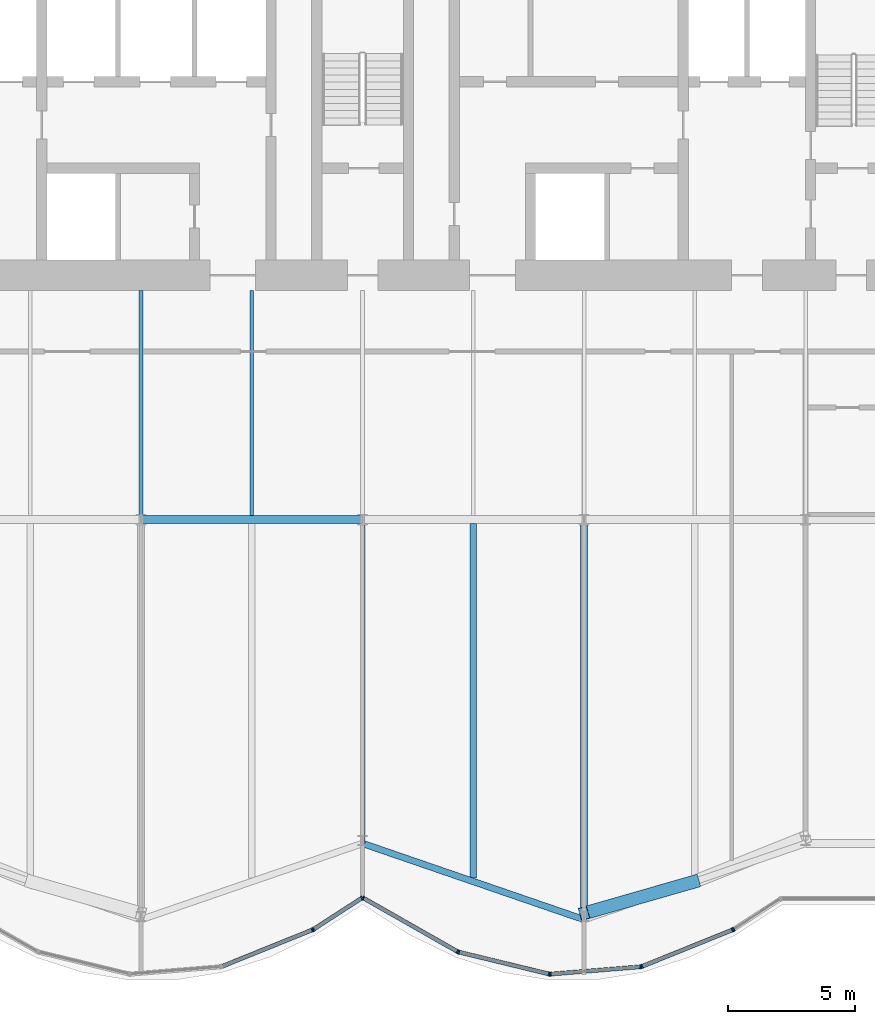
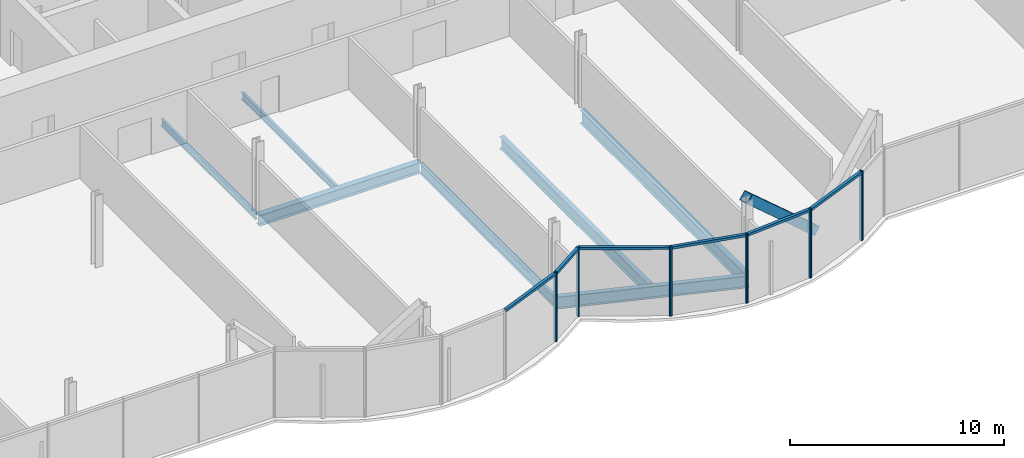
# One storey, part 7 of 21: 19 members, 7 beams, 2 elements without a shape of their own.
"""IFC4 building model written with IfcOpenShell, lengths in metres."""

from ifc_helpers import new_model, si_unit, direction, frame, origin, origin_2d, place, context, subcontext, project, spatial, rectangle, hollow_rectangle, i_section, extrude, material, material_profile, profile_set, type_object, element, aggregate, save


model = new_model("IFC4")

# Units and contexts
model_context = context("Model", 3, precision=1e-05, world=origin(), true_north=direction((0.0, 1.0)))
body_context = subcontext(model_context, "Body", "Model", "MODEL_VIEW")
ifc_project = project(units=[si_unit("LENGTHUNIT", "METRE"), si_unit("AREAUNIT", "SQUARE_METRE"), si_unit("VOLUMEUNIT", "CUBIC_METRE"), si_unit("PLANEANGLEUNIT", "RADIAN"), si_unit("MASSUNIT", "GRAM", prefix="KILO")], contexts=[model_context])

# Site, building, storey
site_placement = place(None, origin())
site = spatial("IfcSite", under=ifc_project, at=site_placement, CompositionType="ELEMENT")
building_placement = place(site_placement, origin())
building = spatial("IfcBuilding", under=site, at=building_placement, Name="Bicima Exchange Tower", CompositionType="ELEMENT")
storey_placement = place(building_placement, frame((0.0, 0.0, 122.699951171875)))
storey = spatial("IfcBuildingStorey", under=building, at=storey_placement, Name="L26", CompositionType="ELEMENT", Elevation=122.699951171875)

# Beams
ifc_material_1 = material(Name="Steel ASTM A992 Gr 50", Category="steel")
ifc_material_profile_1 = material_profile(ifc_material_1, i_section(OverallWidth=0.140380859375, OverallDepth=0.40380859375, WebThickness=0.007080078125, FlangeThickness=0.01123046875, at=origin_2d()))
ifc_profile_set_1 = profile_set([ifc_material_profile_1], Name="Steel ASTM A992 Gr 50")
beam_type_1 = type_object("IfcBeamType", Name="Floor beam W16x31", PredefinedType="JOIST", material=ifc_profile_set_1)
for number, where, z_axis, x_axis, name in (
    (1, (-8.699951171875, -13.0, -0.351806640625), (0.0, -1.0, 0.0), (1.0, 0.0, 0.0), "Floor beam"),
    (2, (-4.35009765625, -13.0, -0.351806640625), (0.0, -1.0, 0.0), (1.0, 0.0, 0.0), "Floor beam"),
):
    element("IfcBeam", number, at=place(storey_placement, frame(where, z_axis=z_axis, x_axis=x_axis)), inside=storey, type_object=beam_type_1, Name=name, PredefinedType="JOIST", context=body_context, shape_type="SweptSolid", body=[
        extrude(i_section(OverallWidth=0.140380859375, OverallDepth=0.40380859375, WebThickness=0.007080078125, FlangeThickness=0.01123046875, at=origin_2d()), origin(), (0.0, 0.0, 1.0), 8.83740234375),
    ])
ifc_material_profile_2 = material_profile(ifc_material_1, i_section(OverallWidth=0.177978515625, OverallDepth=0.599365234375, WebThickness=0.010009765625, FlangeThickness=0.012939453125, at=origin_2d()))
ifc_profile_set_2 = profile_set([ifc_material_profile_2], Name="Steel ASTM A992 Gr 50")
beam_type_2 = type_object("IfcBeamType", Name="Floor beam W24x55", PredefinedType="JOIST", material=ifc_profile_set_2)
beam_1_placement = place(storey_placement, frame((0.0, -22.16259765625, -0.44970703125), z_axis=(0.0, -1.0, 0.0), x_axis=(1.0, 0.0, 0.0)))
element("IfcBeam", 3, at=beam_1_placement, inside=storey, type_object=beam_type_2, Name="Floor beam", PredefinedType="JOIST", context=body_context, shape_type="SweptSolid", body=[
    extrude(i_section(OverallWidth=0.177978515625, OverallDepth=0.599365234375, WebThickness=0.010009765625, FlangeThickness=0.012939453125, at=origin_2d()), origin(), (0.0, 0.0, 1.0), 12.557373046875),
])
ifc_material_profile_3 = material_profile(ifc_material_1, i_section(OverallWidth=0.25390625, OverallDepth=0.67822265625, WebThickness=0.01171875, FlangeThickness=0.016357421875, at=origin_2d()))
ifc_profile_set_3 = profile_set([ifc_material_profile_3], Name="Steel ASTM A992 Gr 50")
beam_type_3 = type_object("IfcBeamType", Name="Floor beam W27x84", PredefinedType="JOIST", material=ifc_profile_set_3)
beam_2_placement = place(storey_placement, frame((4.35009765625, -22.16259765625, -0.489013671875), z_axis=(0.0, -1.0, 0.0), x_axis=(1.0, 0.0, 0.0)))
element("IfcBeam", 4, at=beam_2_placement, inside=storey, type_object=beam_type_3, Name="Floor beam", PredefinedType="JOIST", context=body_context, shape_type="SweptSolid", body=[
    extrude(i_section(OverallWidth=0.25390625, OverallDepth=0.67822265625, WebThickness=0.01171875, FlangeThickness=0.016357421875, at=origin_2d()), origin(), (0.0, 0.0, 1.0), 13.917236328125),
])
ifc_material_profile_4 = material_profile(ifc_material_1, i_section(OverallWidth=0.2666015625, OverallDepth=0.75439453125, WebThickness=0.01318359375, FlangeThickness=0.01708984375, at=origin_2d()))
ifc_profile_set_4 = profile_set([ifc_material_profile_4], Name="Steel ASTM A992 Gr 50")
beam_type_4 = type_object("IfcBeamType", Name="Floor beam W30x99", PredefinedType="JOIST", material=ifc_profile_set_4)
beam_3_placement = place(storey_placement, frame((8.699951171875, -22.16259765625, -0.527099609375), z_axis=(0.0, -1.0, 0.0), x_axis=(1.0, 0.0, 0.0)))
element("IfcBeam", 5, at=beam_3_placement, inside=storey, type_object=beam_type_4, Name="Floor beam", PredefinedType="JOIST", context=body_context, shape_type="SweptSolid", body=[
    extrude(i_section(OverallWidth=0.2666015625, OverallDepth=0.75439453125, WebThickness=0.01318359375, FlangeThickness=0.01708984375, at=origin_2d()), origin(), (0.0, 0.0, 1.0), 15.412841796875),
])
ifc_material_profile_5 = material_profile(ifc_material_1, i_section(OverallWidth=0.256591796875, OverallDepth=0.693359375, WebThickness=0.014404296875, FlangeThickness=0.023681640625, at=origin_2d()))
ifc_profile_set_5 = profile_set([ifc_material_profile_5], Name="Steel ASTM A992 Gr 50")
beam_type_5 = type_object("IfcBeamType", Name="Front girder W27x114", PredefinedType="BEAM", material=ifc_profile_set_5)
beam_4_placement = place(storey_placement, frame((0.0, -34.719970703125, -0.49658203125), z_axis=(0.945666456746, -0.325138359143, 0.0), x_axis=(0.325138359143, 0.945666456746, 0.0)))
element("IfcBeam", 6, at=beam_4_placement, inside=storey, type_object=beam_type_5, Name="Front girder", PredefinedType="BEAM", context=body_context, shape_type="SweptSolid", body=[
    extrude(i_section(OverallWidth=0.256591796875, OverallDepth=0.693359375, WebThickness=0.014404296875, FlangeThickness=0.023681640625, at=origin_2d()), origin(), (0.0, 0.0, 1.0), 9.19970703125),
])

# Curtain wall, members
ifc_material_2 = material(Name="Anodised bronze aluminium", Category="aluminium")
curtain_wall_type = type_object("IfcCurtainWallType", Name="Front glass wall", PredefinedType="NOTDEFINED", material=ifc_material_2)
curtain_wall_1_placement = place(storey_placement, origin())
curtain_wall_1 = element("IfcCurtainWall", 7, at=curtain_wall_1_placement, inside=storey, type_object=curtain_wall_type, Name="Front glass wall L26 run 6", PredefinedType="NOTDEFINED")
ifc_material_profile_6 = material_profile(ifc_material_2, rectangle(XDim=0.159912109375, YDim=0.06005859375, at=origin_2d()))
ifc_profile_set_6 = profile_set([ifc_material_profile_6], Name="Anodised bronze aluminium")
member_type_1 = type_object("IfcMemberType", Name="Front glass wall mullion 60 x 160", PredefinedType="MULLION", material=ifc_profile_set_6)
member_1_placement = place(storey_placement, frame((-1.97412109375, -38.115478515625, 0.0), z_axis=(0.0, 0.0, 1.0), x_axis=(-0.374705304, 0.92714396679, 0.0)))
member_1 = element("IfcMember", 8, at=member_1_placement, type_object=member_type_1, Name="Front glass wall mullion 2", PredefinedType="MULLION", context=body_context, shape_type="SweptSolid", body=[
    extrude(rectangle(XDim=0.159912109375, YDim=0.06005859375, at=origin_2d()), origin(), (0.0, 0.0, 1.0), 3.949951171875),
])
member_2_placement = place(storey_placement, frame((-1.921142578125, -38.088134765625, 0.0), z_axis=(0.0, 0.0, 1.0), x_axis=(-0.542897457326, 0.839798994301, 0.0)))
member_2 = element("IfcMember", 9, at=member_2_placement, type_object=member_type_1, Name="Front glass wall mullion 1", PredefinedType="MULLION", context=body_context, shape_type="SweptSolid", body=[
    extrude(rectangle(XDim=0.159912109375, YDim=0.06005859375, at=origin_2d()), origin(), (0.0, 0.0, 1.0), 3.949951171875),
])
member_3_placement = place(storey_placement, frame((-0.025146484375, -36.8623046875, 0.0), z_axis=(0.0, 0.0, 1.0), x_axis=(-0.542897457326, 0.839798994301, 0.0)))
member_3 = element("IfcMember", 10, at=member_3_placement, type_object=member_type_1, Name="Front glass wall mullion 2", PredefinedType="MULLION", context=body_context, shape_type="SweptSolid", body=[
    extrude(rectangle(XDim=0.159912109375, YDim=0.06005859375, at=origin_2d()), origin(), (0.0, 0.0, 1.0), 3.949951171875),
])

curtain_wall_2_placement = place(storey_placement, origin())
curtain_wall_2 = element("IfcCurtainWall", 11, at=curtain_wall_2_placement, inside=storey, type_object=curtain_wall_type, Name="Front glass wall L26 run 11", PredefinedType="NOTDEFINED")
member_4_placement = place(storey_placement, frame((0.026123046875, -36.861083984375, 0.0), z_axis=(0.0, 0.0, 1.0), x_axis=(0.494330311331, 0.869274147378, 0.0)))
member_4 = element("IfcMember", 12, at=member_4_placement, type_object=member_type_1, Name="Front glass wall mullion 1", PredefinedType="MULLION", context=body_context, shape_type="SweptSolid", body=[
    extrude(rectangle(XDim=0.159912109375, YDim=0.06005859375, at=origin_2d()), origin(), (0.0, 0.0, 1.0), 3.949951171875),
])
member_5_placement = place(storey_placement, frame((3.7265625, -38.96533203125, 0.0), z_axis=(0.0, 0.0, 1.0), x_axis=(0.494330311331, 0.869274147378, 0.0)))
member_5 = element("IfcMember", 13, at=member_5_placement, type_object=member_type_1, Name="Front glass wall mullion 2", PredefinedType="MULLION", context=body_context, shape_type="SweptSolid", body=[
    extrude(rectangle(XDim=0.159912109375, YDim=0.06005859375, at=origin_2d()), origin(), (0.0, 0.0, 1.0), 3.949951171875),
])
member_6_placement = place(storey_placement, frame((3.781982421875, -38.9873046875, 0.0), z_axis=(0.0, 0.0, 1.0), x_axis=(0.235681529503, 0.971830343553, 0.0)))
member_6 = element("IfcMember", 14, at=member_6_placement, type_object=member_type_1, Name="Front glass wall mullion 1", PredefinedType="MULLION", context=body_context, shape_type="SweptSolid", body=[
    extrude(rectangle(XDim=0.159912109375, YDim=0.06005859375, at=origin_2d()), origin(), (0.0, 0.0, 1.0), 3.949951171875),
])
member_7_placement = place(storey_placement, frame((7.322509765625, -39.845947265625, 0.0), z_axis=(0.0, 0.0, 1.0), x_axis=(0.235681529503, 0.971830343553, 0.0)))
member_7 = element("IfcMember", 15, at=member_7_placement, type_object=member_type_1, Name="Front glass wall mullion 2", PredefinedType="MULLION", context=body_context, shape_type="SweptSolid", body=[
    extrude(rectangle(XDim=0.159912109375, YDim=0.06005859375, at=origin_2d()), origin(), (0.0, 0.0, 1.0), 3.949951171875),
])
member_8_placement = place(storey_placement, frame((7.381591796875, -39.8505859375, 0.0), z_axis=(0.0, 0.0, 1.0), x_axis=(-0.080588612633, 0.99674744821, 0.0)))
member_8 = element("IfcMember", 16, at=member_8_placement, type_object=member_type_1, Name="Front glass wall mullion 1", PredefinedType="MULLION", context=body_context, shape_type="SweptSolid", body=[
    extrude(rectangle(XDim=0.159912109375, YDim=0.06005859375, at=origin_2d()), origin(), (0.0, 0.0, 1.0), 3.949951171875),
])
member_9_placement = place(storey_placement, frame((10.916015625, -39.564697265625, 0.0), z_axis=(0.0, 0.0, 1.0), x_axis=(-0.080588612633, 0.99674744821, 0.0)))
member_9 = element("IfcMember", 17, at=member_9_placement, type_object=member_type_1, Name="Front glass wall mullion 2", PredefinedType="MULLION", context=body_context, shape_type="SweptSolid", body=[
    extrude(rectangle(XDim=0.159912109375, YDim=0.06005859375, at=origin_2d()), origin(), (0.0, 0.0, 1.0), 3.949951171875),
])
member_10_placement = place(storey_placement, frame((10.973876953125, -39.55126953125, 0.0), z_axis=(0.0, 0.0, 1.0), x_axis=(-0.374705304, 0.92714396679, 0.0)))
member_10 = element("IfcMember", 18, at=member_10_placement, type_object=member_type_1, Name="Front glass wall mullion 1", PredefinedType="MULLION", context=body_context, shape_type="SweptSolid", body=[
    extrude(rectangle(XDim=0.159912109375, YDim=0.06005859375, at=origin_2d()), origin(), (0.0, 0.0, 1.0), 3.949951171875),
])
member_11_placement = place(storey_placement, frame((14.52587890625, -38.115478515625, 0.0), z_axis=(0.0, 0.0, 1.0), x_axis=(-0.374705304, 0.92714396679, 0.0)))
member_11 = element("IfcMember", 19, at=member_11_placement, type_object=member_type_1, Name="Front glass wall mullion 2", PredefinedType="MULLION", context=body_context, shape_type="SweptSolid", body=[
    extrude(rectangle(XDim=0.159912109375, YDim=0.06005859375, at=origin_2d()), origin(), (0.0, 0.0, 1.0), 3.949951171875),
])
member_12_placement = place(storey_placement, frame((14.578857421875, -38.088134765625, 0.0), z_axis=(0.0, 0.0, 1.0), x_axis=(-0.542909183079, 0.839791413941, 0.0)))
member_12 = element("IfcMember", 20, at=member_12_placement, type_object=member_type_1, Name="Front glass wall mullion 1", PredefinedType="MULLION", context=body_context, shape_type="SweptSolid", body=[
    extrude(rectangle(XDim=0.159912109375, YDim=0.06005859375, at=origin_2d()), origin(), (0.0, 0.0, 1.0), 3.949951171875),
])

# Member
ifc_material_profile_7 = material_profile(ifc_material_2, rectangle(XDim=0.159912109375, YDim=0.139892578125, at=origin_2d()))
ifc_profile_set_7 = profile_set([ifc_material_profile_7], Name="Anodised bronze aluminium")
member_type_2 = type_object("IfcMemberType", Name="Front glass wall transom 140 x 160", PredefinedType="USERDEFINED", material=ifc_profile_set_7)
member_13_placement = place(storey_placement, frame((-5.498291015625, -39.539794921875, 3.880126953125), z_axis=(0.927140215882, 0.374714584842, 0.0), x_axis=(-0.374714584842, 0.927140215882, 0.0)))
member_13 = element("IfcMember", 21, at=member_13_placement, type_object=member_type_2, Name="Front glass wall transom 1.1", ObjectType="TRANSOM", PredefinedType="USERDEFINED", context=body_context, shape_type="SweptSolid", body=[
    extrude(rectangle(XDim=0.159912109375, YDim=0.139892578125, at=origin_2d()), origin(), (0.0, 0.0, 1.0), 3.77099609375),
])

member_14_placement = place(storey_placement, frame((-1.89599609375, -38.07177734375, 3.880126953125), z_axis=(0.839811483481, 0.542878137536, 0.0), x_axis=(-0.542878137536, 0.839811483481, 0.0)))
member_14 = element("IfcMember", 22, at=member_14_placement, type_object=member_type_2, Name="Front glass wall transom 1.1", ObjectType="TRANSOM", PredefinedType="USERDEFINED", context=body_context, shape_type="SweptSolid", body=[
    extrude(rectangle(XDim=0.159912109375, YDim=0.139892578125, at=origin_2d()), origin(), (0.0, 0.0, 1.0), 2.19775390625),
])

aggregate(curtain_wall_1, [member_1, member_13, member_2, member_3, member_14])

member_15_placement = place(storey_placement, frame((0.05224609375, -36.875732421875, 3.880126953125), z_axis=(0.869265121745, -0.494346182466, 0.0), x_axis=(0.494346182466, 0.869265121745, 0.0)))
member_15 = element("IfcMember", 23, at=member_15_placement, type_object=member_type_2, Name="Front glass wall transom 1.1", ObjectType="TRANSOM", PredefinedType="USERDEFINED", context=body_context, shape_type="SweptSolid", body=[
    extrude(rectangle(XDim=0.159912109375, YDim=0.139892578125, at=origin_2d()), origin(), (0.0, 0.0, 1.0), 4.19677734375),
])

member_16_placement = place(storey_placement, frame((3.81103515625, -38.994384765625, 3.880126953125), z_axis=(0.971833557815, -0.235668275132, 0.0), x_axis=(0.235668275132, 0.971833557815, 0.0)))
member_16 = element("IfcMember", 24, at=member_16_placement, type_object=member_type_2, Name="Front glass wall transom 1.1", ObjectType="TRANSOM", PredefinedType="USERDEFINED", context=body_context, shape_type="SweptSolid", body=[
    extrude(rectangle(XDim=0.159912109375, YDim=0.139892578125, at=origin_2d()), origin(), (0.0, 0.0, 1.0), 3.583251953125),
])

member_17_placement = place(storey_placement, frame((7.41162109375, -39.84814453125, 3.880126953125), z_axis=(0.9967456465, 0.080610893699, 0.0), x_axis=(-0.080610893699, 0.9967456465, 0.0)))
member_17 = element("IfcMember", 25, at=member_17_placement, type_object=member_type_2, Name="Front glass wall transom 1.1", ObjectType="TRANSOM", PredefinedType="USERDEFINED", context=body_context, shape_type="SweptSolid", body=[
    extrude(rectangle(XDim=0.159912109375, YDim=0.139892578125, at=origin_2d()), origin(), (0.0, 0.0, 1.0), 3.48583984375),
])

member_18_placement = place(storey_placement, frame((11.001708984375, -39.539794921875, 3.880126953125), z_axis=(0.927140215882, 0.374714584842, 0.0), x_axis=(-0.374714584842, 0.927140215882, 0.0)))
member_18 = element("IfcMember", 26, at=member_18_placement, type_object=member_type_2, Name="Front glass wall transom 1.1", ObjectType="TRANSOM", PredefinedType="USERDEFINED", context=body_context, shape_type="SweptSolid", body=[
    extrude(rectangle(XDim=0.159912109375, YDim=0.139892578125, at=origin_2d()), origin(), (0.0, 0.0, 1.0), 3.77099609375),
])

aggregate(curtain_wall_2, [member_4, member_5, member_15, member_6, member_7, member_16, member_8, member_9, member_17, member_10, member_11, member_18, member_12])

ifc_material_3 = material(Name="Steel ASTM A572 Gr 50", Category="steel")
ifc_material_profile_8 = material_profile(ifc_material_3, hollow_rectangle(XDim=0.508056640625, YDim=0.508056640625, WallThickness=0.0146484375, at=origin_2d()))
ifc_profile_set_8 = profile_set([ifc_material_profile_8], Name="Steel ASTM A572 Gr 50")
member_type_3 = type_object("IfcMemberType", Name="Mega brace HSS20x20x5/8", PredefinedType="BRACE", material=ifc_profile_set_8)
member_19_placement = place(storey_placement, frame((13.050048828125, -36.215576171875, 0.0), z_axis=(-0.712266893938, -0.204909647453, 0.671332933931), x_axis=(0.276473064615, -0.961021667052, 0.0)))
element("IfcMember", 27, at=member_19_placement, inside=storey, type_object=member_type_3, Name="Mega brace front", PredefinedType="BRACE", context=body_context, shape_type="SweptSolid", body=[
    extrude(hollow_rectangle(XDim=0.508056640625, YDim=0.508056640625, WallThickness=0.0146484375, at=origin_2d()), origin(), (0.0, 0.0, 1.0), 6.107421875),
])

# Beam
ifc_material_profile_9 = material_profile(ifc_material_1, i_section(OverallWidth=0.3251953125, OverallDepth=0.612060546875, WebThickness=0.0126953125, FlangeThickness=0.01904296875, at=origin_2d()))
ifc_profile_set_9 = profile_set([ifc_material_profile_9], Name="Steel ASTM A992 Gr 50")
beam_type_6 = type_object("IfcBeamType", Name="Row girder W24x104", PredefinedType="BEAM", material=ifc_profile_set_9)
beam_5_placement = place(storey_placement, frame((-8.699951171875, -22.0, -0.4560546875), z_axis=(1.0, 0.0, 0.0), x_axis=(0.0, 1.0, 0.0)))
element("IfcBeam", 28, at=beam_5_placement, inside=storey, type_object=beam_type_6, Name="Row girder", PredefinedType="BEAM", context=body_context, shape_type="SweptSolid", body=[
    extrude(i_section(OverallWidth=0.3251953125, OverallDepth=0.612060546875, WebThickness=0.0126953125, FlangeThickness=0.01904296875, at=origin_2d()), origin(), (0.0, 0.0, 1.0), 8.699951171875),
])

save(model, "model.ifc")
